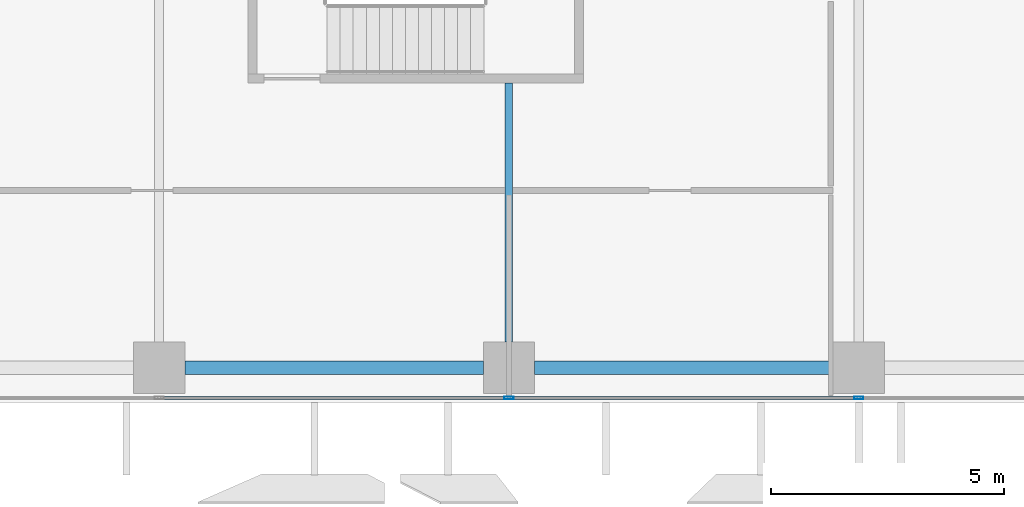
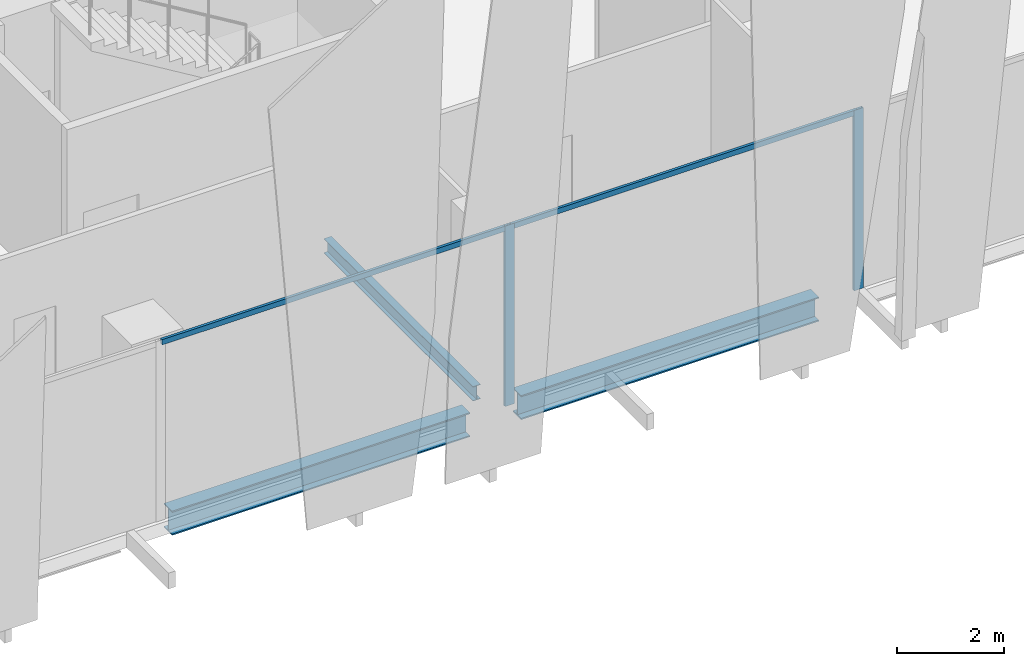
# One storey, part 3 of 34: 4 members, 3 beams, 1 element without a shape of its own.
"""IFC4 building model written with IfcOpenShell, lengths in metres."""

from ifc_helpers import new_model, si_unit, direction, frame, origin, origin_2d, place, context, subcontext, project, spatial, hollow_rectangle, i_section, extrude, source, transform, mapped, material, material_profile, profile_set, type_object, element, aggregate, save


model = new_model("IFC4")

# Units and contexts
model_context = context("Model", 3, precision=1e-05, world=origin(), true_north=direction((0.0, 1.0)))
body_context = subcontext(model_context, "Body", "Model", "MODEL_VIEW")
ifc_project = project(units=[si_unit("LENGTHUNIT", "METRE"), si_unit("AREAUNIT", "SQUARE_METRE"), si_unit("VOLUMEUNIT", "CUBIC_METRE"), si_unit("PLANEANGLEUNIT", "RADIAN"), si_unit("MASSUNIT", "GRAM", prefix="KILO")], contexts=[model_context])

# Site, building, storey
site_placement = place(None, origin())
site = spatial("IfcSite", under=ifc_project, at=site_placement, CompositionType="ELEMENT")
building_placement = place(site_placement, origin())
building = spatial("IfcBuilding", under=site, at=building_placement, Name="Khomas Fold Tower", CompositionType="ELEMENT")
storey_placement = place(building_placement, frame((0.0, 0.0, 114.699951171875)))
storey = spatial("IfcBuildingStorey", under=building, at=storey_placement, Name="L24", CompositionType="ELEMENT", Elevation=114.699951171875)

# Beams
ifc_material_1 = material(Name="Steel S355", Category="steel")
ifc_material_profile_1 = material_profile(ifc_material_1, i_section(OverallWidth=0.300048828125, OverallDepth=0.550048828125, WebThickness=0.014892578125, FlangeThickness=0.029052734375, at=origin_2d()), Name="HE 550 B")
ifc_profile_set_1 = profile_set([ifc_material_profile_1], Name="Steel S355")
beam_type_1 = type_object("IfcBeamType", Name="HE 550 B spandrel SB2", PredefinedType="SPANDREL", material=ifc_profile_set_1)
shared_shape_1 = source(origin(), body_context, "Body", "SweptSolid", [
    extrude(i_section(OverallWidth=0.300048828125, OverallDepth=0.550048828125, WebThickness=0.014892578125, FlangeThickness=0.029052734375, at=origin_2d()), origin(), (0.0, 0.0, 1.0), 6.39990234375),
])
for number, where, z_axis, x_axis, name in (
    (1, (12.550048828125, 2.25, -0.574951171875), (1.0, 0.0, 0.0), (0.0, 1.0, 0.0), "SB2"),
    (2, (20.050048828125, 2.25, -0.574951171875), (1.0, 0.0, 0.0), (0.0, 1.0, 0.0), "SB2"),
):
    element("IfcBeam", number, at=place(storey_placement, frame(where, z_axis=z_axis, x_axis=x_axis)), inside=storey, type_object=beam_type_1, Name=name, PredefinedType="SPANDREL", context=body_context, shape_type="MappedRepresentation", body=[
        mapped(shared_shape_1, transform((0.0, 0.0, 0.0))),
    ])
ifc_material_2 = material(Name="Steel S355", Category="steel")
ifc_material_profile_2 = material_profile(ifc_material_2, i_section(OverallWidth=0.159912109375, OverallDepth=0.330078125, WebThickness=0.007568359375, FlangeThickness=0.011474609375, at=origin_2d()), Name="IPE 330")
ifc_profile_set_2 = profile_set([ifc_material_profile_2], Name="Steel S355")
beam_type_2 = type_object("IfcBeamType", Name="IPE 330 beam JB1", PredefinedType="BEAM", material=ifc_profile_set_2)
shared_shape_2 = source(origin(), body_context, "Body", "SweptSolid", [
    extrude(i_section(OverallWidth=0.159912109375, OverallDepth=0.330078125, WebThickness=0.007568359375, FlangeThickness=0.011474609375, at=origin_2d()), origin(), (0.0, 0.0, 1.0), 5.550048828125),
])
beam_placement = place(storey_placement, frame((19.5, 2.800048828125, -0.46484375), z_axis=(0.0, 1.0, 0.0), x_axis=(-1.0, 0.0, 0.0)))
element("IfcBeam", 3, at=beam_placement, inside=storey, type_object=beam_type_2, Name="JB1", PredefinedType="BEAM", context=body_context, shape_type="MappedRepresentation", body=[
    mapped(shared_shape_2, transform((0.0, 0.0, 0.0))),
])

# Curtain wall, members
ifc_material_3 = material(Name="Aluminium framed double glazing", Category="aluminium")
curtain_wall_type = type_object("IfcCurtainWallType", Name="SK-Unitised clear-glass wall, growing floors CW1", PredefinedType="NOTDEFINED", material=ifc_material_3)
curtain_wall_placement = place(storey_placement, origin())
curtain_wall = element("IfcCurtainWall", 4, at=curtain_wall_placement, inside=storey, type_object=curtain_wall_type, Name="CW1 run L24 00-0", PredefinedType="NOTDEFINED")
ifc_material_4 = material(Name="Aluminium", Category="aluminium")
ifc_material_profile_3 = material_profile(ifc_material_4, hollow_rectangle(XDim=0.06005859375, YDim=0.1201171875, WallThickness=0.00390625, at=origin_2d()), Name="SK-Unitised clear-glass wall, growing floors transom CW1-T")
ifc_profile_set_3 = profile_set([ifc_material_profile_3], Name="Aluminium")
member_type_1 = type_object("IfcMemberType", Name="SK-Unitised clear-glass wall, growing floors transom CW1-T", PredefinedType="USERDEFINED", material=ifc_profile_set_3)
shared_shape_3 = source(origin(), body_context, "Body", "SweptSolid", [
    extrude(hollow_rectangle(XDim=0.06005859375, YDim=0.1201171875, WallThickness=0.00390625, at=origin_2d()), origin(), (0.0, 0.0, 1.0), 7.43994140625),
])
member_1_placement = place(storey_placement, frame((12.030029296875, 1.60009765625, 4.0400390625), z_axis=(1.0, 0.0, 0.0), x_axis=(0.0, 1.0, 0.0)))
member_1 = element("IfcMember", 5, at=member_1_placement, type_object=member_type_1, Name="CW1 transom 3", ObjectType="TRANSOM", PredefinedType="USERDEFINED", context=body_context, shape_type="MappedRepresentation", body=[
    mapped(shared_shape_3, transform((0.0, 0.0, 0.0))),
])
member_2_placement = place(storey_placement, frame((19.530029296875, 1.60009765625, 4.0400390625), z_axis=(1.0, 0.0, 0.0), x_axis=(0.0, 1.0, 0.0)))
member_2 = element("IfcMember", 6, at=member_2_placement, type_object=member_type_1, Name="CW1 transom 4", ObjectType="TRANSOM", PredefinedType="USERDEFINED", context=body_context, shape_type="MappedRepresentation", body=[
    mapped(shared_shape_3, transform((0.0, 0.0, 0.0))),
])
ifc_material_5 = material(Name="Aluminium", Category="aluminium")
ifc_material_profile_4 = material_profile(ifc_material_5, hollow_rectangle(XDim=0.06005859375, YDim=0.199951171875, WallThickness=0.00390625, at=origin_2d()), Name="SK-Unitised clear-glass wall, growing floors mullion CW1-M")
ifc_profile_set_4 = profile_set([ifc_material_profile_4], Name="Aluminium")
member_type_2 = type_object("IfcMemberType", Name="SK-Unitised clear-glass wall, growing floors mullion CW1-M", PredefinedType="MULLION", material=ifc_profile_set_4)
shared_shape_4 = source(origin(), body_context, "Body", "SweptSolid", [
    extrude(hollow_rectangle(XDim=0.06005859375, YDim=0.199951171875, WallThickness=0.00390625, at=origin_2d()), origin(), (0.0, 0.0, 1.0), 4.10009765625),
])
member_3_placement = place(storey_placement, frame((19.5, 1.60009765625, 0.0), z_axis=(0.0, 0.0, 1.0), x_axis=(0.0, 1.0, 0.0)))
member_3 = element("IfcMember", 7, at=member_3_placement, type_object=member_type_2, Name="CW1 mullion 4", PredefinedType="MULLION", context=body_context, shape_type="MappedRepresentation", body=[
    mapped(shared_shape_4, transform((0.0, 0.0, 0.0))),
])
member_4_placement = place(storey_placement, frame((27.0, 1.60009765625, 0.0), z_axis=(0.0, 0.0, 1.0), x_axis=(0.0, 1.0, 0.0)))
member_4 = element("IfcMember", 8, at=member_4_placement, type_object=member_type_2, Name="CW1 mullion 5", PredefinedType="MULLION", context=body_context, shape_type="MappedRepresentation", body=[
    mapped(shared_shape_4, transform((0.0, 0.0, 0.0))),
])
aggregate(curtain_wall, [member_3, member_4, member_1, member_2])

save(model, "model.ifc")
